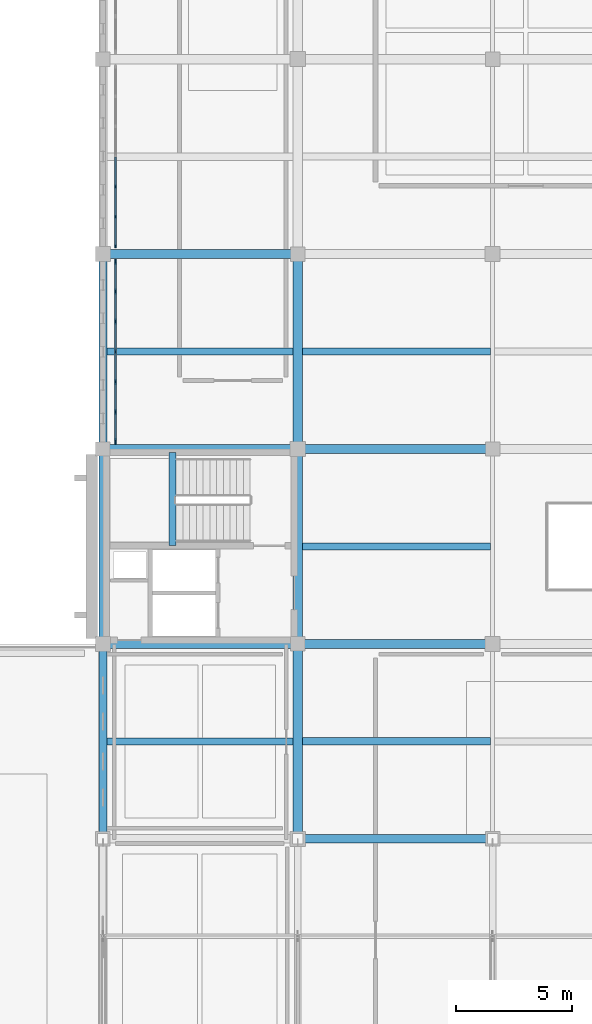
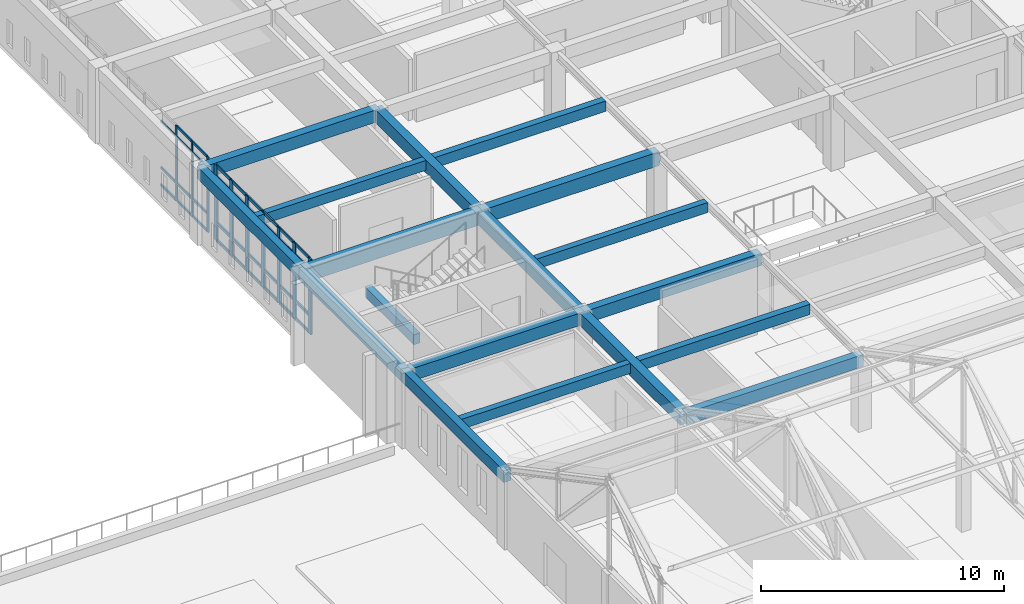
# One storey, part 5 of 47: 45 members, 18 beams, 2 elements without a shape of their own.
"""IFC4 building model written with IfcOpenShell, lengths in metres."""

from ifc_helpers import new_model, si_unit, direction, frame, origin, origin_2d, place, context, subcontext, project, spatial, rectangle, extrude, material, layer, layer_set, material_profile, profile_set, type_object, element, aggregate, save


model = new_model("IFC4")

# Units and contexts
model_context = context("Model", 3, precision=1e-05, world=origin(), true_north=direction((0.0, 1.0)))
body_context = subcontext(model_context, "Body", "Model", "MODEL_VIEW")
ifc_project = project(units=[si_unit("LENGTHUNIT", "METRE"), si_unit("AREAUNIT", "SQUARE_METRE"), si_unit("VOLUMEUNIT", "CUBIC_METRE"), si_unit("PLANEANGLEUNIT", "RADIAN"), si_unit("MASSUNIT", "GRAM", prefix="KILO")], contexts=[model_context])

# Site, building, storey
site_placement = place(None, origin())
site = spatial("IfcSite", under=ifc_project, at=site_placement, CompositionType="ELEMENT")
building_placement = place(site_placement, origin())
building = spatial("IfcBuilding", under=site, at=building_placement, Name="Kveldsbrygga Polytechnic", CompositionType="ELEMENT")
storey_placement = place(building_placement, frame((0.0, 0.0, 13.93994140625)))
storey = spatial("IfcBuildingStorey", under=building, at=storey_placement, Name="L03", CompositionType="ELEMENT", Elevation=13.93994140625)

# Beams
ifc_material_1 = material(Name="Concrete C35/45", Category="concrete")
ifc_material_profile_1 = material_profile(ifc_material_1, rectangle(XDim=0.3798828125, YDim=0.6201171875, at=origin_2d()), Name="RC 380x620")
ifc_profile_set_1 = profile_set([ifc_material_profile_1], Name="Concrete C35/45")
beam_type_1 = type_object("IfcBeamType", Name="BM-RC-380x620", PredefinedType="BEAM", material=ifc_profile_set_1)
beam_1_placement = place(storey_placement, frame((126.0, 25.199951171875, 3.43994140625), z_axis=(1.0, 0.0, 0.0), x_axis=(0.0, 1.0, 0.0)))
element("IfcBeam", 1, at=beam_1_placement, inside=storey, type_object=beam_type_1, Name="Primary Beam BMX-L03-15to16-03", PredefinedType="BEAM", context=body_context, shape_type="SweptSolid", body=[
    extrude(rectangle(XDim=0.3798828125, YDim=0.6201171875, at=origin_2d()), origin(), (0.0, 0.0, 1.0), 8.39990234375),
])
beam_2_placement = place(storey_placement, frame((134.39990234375, 25.199951171875, 3.43994140625), z_axis=(1.0, 0.0, 0.0), x_axis=(0.0, 1.0, 0.0)))
element("IfcBeam", 2, at=beam_2_placement, inside=storey, type_object=beam_type_1, Name="Primary Beam BMX-L03-16to17-03", PredefinedType="BEAM", context=body_context, shape_type="SweptSolid", body=[
    extrude(rectangle(XDim=0.3798828125, YDim=0.6201171875, at=origin_2d()), origin(), (0.0, 0.0, 1.0), 8.400146484375),
])
beam_3_placement = place(storey_placement, frame((126.0, 42.0, 3.43994140625), z_axis=(1.0, 0.0, 0.0), x_axis=(0.0, 1.0, 0.0)))
element("IfcBeam", 3, at=beam_3_placement, inside=storey, type_object=beam_type_1, Name="Primary Beam BMX-L03-15to16-05", PredefinedType="BEAM", context=body_context, shape_type="SweptSolid", body=[
    extrude(rectangle(XDim=0.3798828125, YDim=0.6201171875, at=origin_2d()), origin(), (0.0, 0.0, 1.0), 8.39990234375),
])
ifc_material_profile_2 = material_profile(ifc_material_1, rectangle(XDim=0.39990234375, YDim=0.64990234375, at=origin_2d()), Name="RC 400x650")
ifc_profile_set_2 = profile_set([ifc_material_profile_2], Name="Concrete C35/45")
beam_type_2 = type_object("IfcBeamType", Name="BM-RC-400x650", PredefinedType="BEAM", material=ifc_profile_set_2)
beam_4_placement = place(storey_placement, frame((134.39990234375, 16.800048828125, 3.425048828125), z_axis=(0.0, 1.0, 0.0), x_axis=(-1.0, 0.0, 0.0)))
element("IfcBeam", 4, at=beam_4_placement, inside=storey, type_object=beam_type_2, Name="Primary Beam BMY-L03-16-02to03", PredefinedType="BEAM", context=body_context, shape_type="SweptSolid", body=[
    extrude(rectangle(XDim=0.39990234375, YDim=0.64990234375, at=origin_2d()), origin(), (0.0, 0.0, 1.0), 8.39990234375),
])
beam_5_placement = place(storey_placement, frame((134.39990234375, 25.199951171875, 3.425048828125), z_axis=(0.0, 1.0, 0.0), x_axis=(-1.0, 0.0, 0.0)))
element("IfcBeam", 5, at=beam_5_placement, inside=storey, type_object=beam_type_2, Name="Primary Beam BMY-L03-16-03to04", PredefinedType="BEAM", context=body_context, shape_type="SweptSolid", body=[
    extrude(rectangle(XDim=0.39990234375, YDim=0.64990234375, at=origin_2d()), origin(), (0.0, 0.0, 1.0), 8.400146484375),
])
beam_6_placement = place(storey_placement, frame((134.39990234375, 33.60009765625, 3.425048828125), z_axis=(0.0, 1.0, 0.0), x_axis=(-1.0, 0.0, 0.0)))
element("IfcBeam", 6, at=beam_6_placement, inside=storey, type_object=beam_type_2, Name="Primary Beam BMY-L03-16-04to05", PredefinedType="BEAM", context=body_context, shape_type="SweptSolid", body=[
    extrude(rectangle(XDim=0.39990234375, YDim=0.64990234375, at=origin_2d()), origin(), (0.0, 0.0, 1.0), 8.39990234375),
])
ifc_material_profile_3 = material_profile(ifc_material_1, rectangle(XDim=0.39990234375, YDim=0.699951171875, at=origin_2d()), Name="RC 400x700")
ifc_profile_set_3 = profile_set([ifc_material_profile_3], Name="Concrete C35/45")
beam_type_3 = type_object("IfcBeamType", Name="BM-RC-400x700", PredefinedType="BEAM", material=ifc_profile_set_3)
beam_7_placement = place(storey_placement, frame((126.0, 33.60009765625, 3.400146484375), z_axis=(1.0, 0.0, 0.0), x_axis=(0.0, 1.0, 0.0)))
element("IfcBeam", 7, at=beam_7_placement, inside=storey, type_object=beam_type_3, Name="Primary Beam BMX-L03-15to16-04", PredefinedType="BEAM", context=body_context, shape_type="SweptSolid", body=[
    extrude(rectangle(XDim=0.39990234375, YDim=0.699951171875, at=origin_2d()), origin(), (0.0, 0.0, 1.0), 8.39990234375),
])
beam_8_placement = place(storey_placement, frame((134.39990234375, 33.60009765625, 3.400146484375), z_axis=(1.0, 0.0, 0.0), x_axis=(0.0, 1.0, 0.0)))
element("IfcBeam", 8, at=beam_8_placement, inside=storey, type_object=beam_type_3, Name="Primary Beam BMX-L03-16to17-04", PredefinedType="BEAM", context=body_context, shape_type="SweptSolid", body=[
    extrude(rectangle(XDim=0.39990234375, YDim=0.699951171875, at=origin_2d()), origin(), (0.0, 0.0, 1.0), 8.400146484375),
])
ifc_material_profile_4 = material_profile(ifc_material_1, rectangle(XDim=0.35009765625, YDim=0.60009765625, at=origin_2d()), Name="RC 350x600")
ifc_profile_set_4 = profile_set([ifc_material_profile_4], Name="Concrete C35/45")
beam_type_4 = type_object("IfcBeamType", Name="BM-SPANDREL-600", PredefinedType="T_BEAM", material=ifc_profile_set_4)
beam_9_placement = place(storey_placement, frame((134.39990234375, 16.800048828125, 3.449951171875), z_axis=(1.0, 0.0, 0.0), x_axis=(0.0, 1.0, 0.0)))
element("IfcBeam", 9, at=beam_9_placement, inside=storey, type_object=beam_type_4, Name="Primary Beam BMX-L03-16to17-02", PredefinedType="T_BEAM", context=body_context, shape_type="SweptSolid", body=[
    extrude(rectangle(XDim=0.35009765625, YDim=0.60009765625, at=origin_2d()), origin(), (0.0, 0.0, 1.0), 8.400146484375),
])
beam_10_placement = place(storey_placement, frame((126.0, 16.800048828125, 3.449951171875), z_axis=(0.0, 1.0, 0.0), x_axis=(-1.0, 0.0, 0.0)))
element("IfcBeam", 10, at=beam_10_placement, inside=storey, type_object=beam_type_4, Name="Primary Beam BMY-L03-15-02to03", PredefinedType="T_BEAM", context=body_context, shape_type="SweptSolid", body=[
    extrude(rectangle(XDim=0.35009765625, YDim=0.60009765625, at=origin_2d()), origin(), (0.0, 0.0, 1.0), 8.39990234375),
])
beam_11_placement = place(storey_placement, frame((126.0, 25.199951171875, 3.449951171875), z_axis=(0.0, 1.0, 0.0), x_axis=(-1.0, 0.0, 0.0)))
element("IfcBeam", 11, at=beam_11_placement, inside=storey, type_object=beam_type_4, Name="Primary Beam BMY-L03-15-03to04", PredefinedType="T_BEAM", context=body_context, shape_type="SweptSolid", body=[
    extrude(rectangle(XDim=0.35009765625, YDim=0.60009765625, at=origin_2d()), origin(), (0.0, 0.0, 1.0), 8.400146484375),
])
beam_12_placement = place(storey_placement, frame((126.0, 33.60009765625, 3.449951171875), z_axis=(0.0, 1.0, 0.0), x_axis=(-1.0, 0.0, 0.0)))
element("IfcBeam", 12, at=beam_12_placement, inside=storey, type_object=beam_type_4, Name="Primary Beam BMY-L03-15-04to05", PredefinedType="T_BEAM", context=body_context, shape_type="SweptSolid", body=[
    extrude(rectangle(XDim=0.35009765625, YDim=0.60009765625, at=origin_2d()), origin(), (0.0, 0.0, 1.0), 8.39990234375),
])

# Curtain wall, members
ifc_material_2 = material(Name="Anodised aluminium AW-6060", Category="aluminium")
ifc_layer_1 = layer(ifc_material_2, 0.179931640625)
ifc_layer_set_1 = layer_set([ifc_layer_1], Name="Anodised aluminium AW-6060")
curtain_wall_type_1 = type_object("IfcCurtainWallType", Name="CW-CONC-A", PredefinedType="USERDEFINED", material=ifc_layer_set_1)
curtain_wall_1_placement = place(storey_placement, origin())
curtain_wall_1 = element("IfcCurtainWall", 13, at=curtain_wall_1_placement, inside=storey, type_object=curtain_wall_type_1, Name="Curtain Wall CW-L03-Y-15-05", ObjectType="UNITISED CURTAIN WALL", PredefinedType="USERDEFINED")
ifc_material_profile_5 = material_profile(ifc_material_2, rectangle(XDim=0.06005859375, YDim=0.139892578125, at=origin_2d()), Name="ALU 60x140")
ifc_profile_set_5 = profile_set([ifc_material_profile_5], Name="Anodised aluminium AW-6060")
member_type_1 = type_object("IfcMemberType", Name="CW-MUL-140", PredefinedType="MULLION", material=ifc_profile_set_5)
member_1_placement = place(storey_placement, frame((126.550048828125, 42.340087890625, 0.0), z_axis=(0.0, 0.0, 1.0), x_axis=(-1.0, 0.0, 0.0)))
member_1 = element("IfcMember", 14, at=member_1_placement, type_object=member_type_1, Name="CW-01 mullion 1", PredefinedType="MULLION", context=body_context, shape_type="SweptSolid", body=[
    extrude(rectangle(XDim=0.06005859375, YDim=0.139892578125, at=origin_2d()), origin(), (0.0, 0.0, 1.0), 3.780029296875),
])
member_2_placement = place(storey_placement, frame((126.550048828125, 43.609130859375, 0.0), z_axis=(0.0, 0.0, 1.0), x_axis=(-1.0, 0.0, 0.0)))
member_2 = element("IfcMember", 15, at=member_2_placement, type_object=member_type_1, Name="CW-01 mullion 2", PredefinedType="MULLION", context=body_context, shape_type="SweptSolid", body=[
    extrude(rectangle(XDim=0.06005859375, YDim=0.139892578125, at=origin_2d()), origin(), (0.0, 0.0, 1.0), 3.780029296875),
])
member_3_placement = place(storey_placement, frame((126.550048828125, 44.908447265625, 0.0), z_axis=(0.0, 0.0, 1.0), x_axis=(-1.0, 0.0, 0.0)))
member_3 = element("IfcMember", 16, at=member_3_placement, type_object=member_type_1, Name="CW-01 mullion 3", PredefinedType="MULLION", context=body_context, shape_type="SweptSolid", body=[
    extrude(rectangle(XDim=0.06005859375, YDim=0.139892578125, at=origin_2d()), origin(), (0.0, 0.0, 1.0), 3.780029296875),
])

ifc_layer_2 = layer(ifc_material_2, 0.2099609375)
ifc_layer_set_2 = layer_set([ifc_layer_2], Name="Anodised aluminium AW-6060")
curtain_wall_type_2 = type_object("IfcCurtainWallType", Name="CW-LIBR-H", PredefinedType="USERDEFINED", material=ifc_layer_set_2)
curtain_wall_2_placement = place(storey_placement, origin())
curtain_wall_2 = element("IfcCurtainWall", 17, at=curtain_wall_2_placement, inside=storey, type_object=curtain_wall_type_2, Name="Curtain Wall CW-L03-Y-15-04", ObjectType="UNITISED CURTAIN WALL", PredefinedType="USERDEFINED")
ifc_material_profile_6 = material_profile(ifc_material_2, rectangle(XDim=0.074951171875, YDim=0.239990234375, at=origin_2d()), Name="ALU 75x240")
ifc_profile_set_6 = profile_set([ifc_material_profile_6], Name="Anodised aluminium AW-6060")
member_type_2 = type_object("IfcMemberType", Name="CW-MUL-240", PredefinedType="MULLION", material=ifc_profile_set_6)
member_4_placement = place(storey_placement, frame((126.550048828125, 33.9326171875, 0.0), z_axis=(0.0, 0.0, 1.0), x_axis=(-1.0, 0.0, 0.0)))
member_4 = element("IfcMember", 18, at=member_4_placement, type_object=member_type_2, Name="CW-08 mullion 1", PredefinedType="MULLION", context=body_context, shape_type="SweptSolid", body=[
    extrude(rectangle(XDim=0.074951171875, YDim=0.239990234375, at=origin_2d()), origin(), (0.0, 0.0, 1.0), 3.780029296875),
])
member_5_placement = place(storey_placement, frame((126.550048828125, 35.194091796875, 0.0), z_axis=(0.0, 0.0, 1.0), x_axis=(-1.0, 0.0, 0.0)))
member_5 = element("IfcMember", 19, at=member_5_placement, type_object=member_type_2, Name="CW-08 mullion 2", PredefinedType="MULLION", context=body_context, shape_type="SweptSolid", body=[
    extrude(rectangle(XDim=0.074951171875, YDim=0.239990234375, at=origin_2d()), origin(), (0.0, 0.0, 1.0), 3.780029296875),
])
member_6_placement = place(storey_placement, frame((126.550048828125, 36.493408203125, 0.0), z_axis=(0.0, 0.0, 1.0), x_axis=(-1.0, 0.0, 0.0)))
member_6 = element("IfcMember", 20, at=member_6_placement, type_object=member_type_2, Name="CW-08 mullion 3", PredefinedType="MULLION", context=body_context, shape_type="SweptSolid", body=[
    extrude(rectangle(XDim=0.074951171875, YDim=0.239990234375, at=origin_2d()), origin(), (0.0, 0.0, 1.0), 3.780029296875),
])
member_7_placement = place(storey_placement, frame((126.550048828125, 37.79248046875, 0.0), z_axis=(0.0, 0.0, 1.0), x_axis=(-1.0, 0.0, 0.0)))
member_7 = element("IfcMember", 21, at=member_7_placement, type_object=member_type_2, Name="CW-08 mullion 4", PredefinedType="MULLION", context=body_context, shape_type="SweptSolid", body=[
    extrude(rectangle(XDim=0.074951171875, YDim=0.239990234375, at=origin_2d()), origin(), (0.0, 0.0, 1.0), 3.780029296875),
])
member_8_placement = place(storey_placement, frame((126.550048828125, 39.091552734375, 0.0), z_axis=(0.0, 0.0, 1.0), x_axis=(-1.0, 0.0, 0.0)))
member_8 = element("IfcMember", 22, at=member_8_placement, type_object=member_type_2, Name="CW-08 mullion 5", PredefinedType="MULLION", context=body_context, shape_type="SweptSolid", body=[
    extrude(rectangle(XDim=0.074951171875, YDim=0.239990234375, at=origin_2d()), origin(), (0.0, 0.0, 1.0), 3.780029296875),
])
member_9_placement = place(storey_placement, frame((126.550048828125, 40.390869140625, 0.0), z_axis=(0.0, 0.0, 1.0), x_axis=(-1.0, 0.0, 0.0)))
member_9 = element("IfcMember", 23, at=member_9_placement, type_object=member_type_2, Name="CW-08 mullion 6", PredefinedType="MULLION", context=body_context, shape_type="SweptSolid", body=[
    extrude(rectangle(XDim=0.074951171875, YDim=0.239990234375, at=origin_2d()), origin(), (0.0, 0.0, 1.0), 3.780029296875),
])
member_10_placement = place(storey_placement, frame((126.550048828125, 41.652587890625, 0.0), z_axis=(0.0, 0.0, 1.0), x_axis=(-1.0, 0.0, 0.0)))
member_10 = element("IfcMember", 24, at=member_10_placement, type_object=member_type_2, Name="CW-08 mullion 7", PredefinedType="MULLION", context=body_context, shape_type="SweptSolid", body=[
    extrude(rectangle(XDim=0.074951171875, YDim=0.239990234375, at=origin_2d()), origin(), (0.0, 0.0, 1.0), 3.780029296875),
])

# Member
ifc_material_profile_7 = material_profile(ifc_material_2, rectangle(XDim=0.06005859375, YDim=0.1201171875, at=origin_2d()), Name="ALU 60x120")
ifc_profile_set_7 = profile_set([ifc_material_profile_7], Name="Anodised aluminium AW-6060")
member_type_3 = type_object("IfcMemberType", Name="CW-TRN-120", PredefinedType="USERDEFINED", material=ifc_profile_set_7)
member_11_placement = place(storey_placement, frame((126.550048828125, 42.3701171875, 0.030029296875), z_axis=(0.0, 1.0, 0.0), x_axis=(-1.0, 0.0, 0.0)))
member_11 = element("IfcMember", 25, at=member_11_placement, type_object=member_type_3, Name="CW-01 transom 1.1", ObjectType="TRANSOM", PredefinedType="USERDEFINED", context=body_context, shape_type="SweptSolid", body=[
    extrude(rectangle(XDim=0.06005859375, YDim=0.1201171875, at=origin_2d()), origin(), (0.0, 0.0, 1.0), 1.208984375),
])

member_12_placement = place(storey_placement, frame((126.550048828125, 42.3701171875, 0.900146484375), z_axis=(0.0, 1.0, 0.0), x_axis=(-1.0, 0.0, 0.0)))
member_12 = element("IfcMember", 26, at=member_12_placement, type_object=member_type_3, Name="CW-01 transom 1.2", ObjectType="TRANSOM", PredefinedType="USERDEFINED", context=body_context, shape_type="SweptSolid", body=[
    extrude(rectangle(XDim=0.06005859375, YDim=0.1201171875, at=origin_2d()), origin(), (0.0, 0.0, 1.0), 1.208984375),
])

member_13_placement = place(storey_placement, frame((126.550048828125, 42.3701171875, 3.22998046875), z_axis=(0.0, 1.0, 0.0), x_axis=(-1.0, 0.0, 0.0)))
member_13 = element("IfcMember", 27, at=member_13_placement, type_object=member_type_3, Name="CW-01 transom 1.3", ObjectType="TRANSOM", PredefinedType="USERDEFINED", context=body_context, shape_type="SweptSolid", body=[
    extrude(rectangle(XDim=0.06005859375, YDim=0.1201171875, at=origin_2d()), origin(), (0.0, 0.0, 1.0), 1.208984375),
])

member_14_placement = place(storey_placement, frame((126.550048828125, 42.3701171875, 3.75), z_axis=(0.0, 1.0, 0.0), x_axis=(-1.0, 0.0, 0.0)))
member_14 = element("IfcMember", 28, at=member_14_placement, type_object=member_type_3, Name="CW-01 transom 1.4", ObjectType="TRANSOM", PredefinedType="USERDEFINED", context=body_context, shape_type="SweptSolid", body=[
    extrude(rectangle(XDim=0.06005859375, YDim=0.1201171875, at=origin_2d()), origin(), (0.0, 0.0, 1.0), 1.208984375),
])

member_15_placement = place(storey_placement, frame((126.550048828125, 43.63916015625, 0.030029296875), z_axis=(0.0, 1.0, 0.0), x_axis=(-1.0, 0.0, 0.0)))
member_15 = element("IfcMember", 29, at=member_15_placement, type_object=member_type_3, Name="CW-01 transom 2.1", ObjectType="TRANSOM", PredefinedType="USERDEFINED", context=body_context, shape_type="SweptSolid", body=[
    extrude(rectangle(XDim=0.06005859375, YDim=0.1201171875, at=origin_2d()), origin(), (0.0, 0.0, 1.0), 1.2392578125),
])

member_16_placement = place(storey_placement, frame((126.550048828125, 43.63916015625, 0.900146484375), z_axis=(0.0, 1.0, 0.0), x_axis=(-1.0, 0.0, 0.0)))
member_16 = element("IfcMember", 30, at=member_16_placement, type_object=member_type_3, Name="CW-01 transom 2.2", ObjectType="TRANSOM", PredefinedType="USERDEFINED", context=body_context, shape_type="SweptSolid", body=[
    extrude(rectangle(XDim=0.06005859375, YDim=0.1201171875, at=origin_2d()), origin(), (0.0, 0.0, 1.0), 1.2392578125),
])

member_17_placement = place(storey_placement, frame((126.550048828125, 43.63916015625, 3.22998046875), z_axis=(0.0, 1.0, 0.0), x_axis=(-1.0, 0.0, 0.0)))
member_17 = element("IfcMember", 31, at=member_17_placement, type_object=member_type_3, Name="CW-01 transom 2.3", ObjectType="TRANSOM", PredefinedType="USERDEFINED", context=body_context, shape_type="SweptSolid", body=[
    extrude(rectangle(XDim=0.06005859375, YDim=0.1201171875, at=origin_2d()), origin(), (0.0, 0.0, 1.0), 1.2392578125),
])

member_18_placement = place(storey_placement, frame((126.550048828125, 43.63916015625, 3.75), z_axis=(0.0, 1.0, 0.0), x_axis=(-1.0, 0.0, 0.0)))
member_18 = element("IfcMember", 32, at=member_18_placement, type_object=member_type_3, Name="CW-01 transom 2.4", ObjectType="TRANSOM", PredefinedType="USERDEFINED", context=body_context, shape_type="SweptSolid", body=[
    extrude(rectangle(XDim=0.06005859375, YDim=0.1201171875, at=origin_2d()), origin(), (0.0, 0.0, 1.0), 1.2392578125),
])

member_19_placement = place(storey_placement, frame((126.550048828125, 44.938232421875, 0.030029296875), z_axis=(0.0, 1.0, 0.0), x_axis=(-1.0, 0.0, 0.0)))
member_19 = element("IfcMember", 33, at=member_19_placement, type_object=member_type_3, Name="CW-01 transom 3.1", ObjectType="TRANSOM", PredefinedType="USERDEFINED", context=body_context, shape_type="SweptSolid", body=[
    extrude(rectangle(XDim=0.06005859375, YDim=0.1201171875, at=origin_2d()), origin(), (0.0, 0.0, 1.0), 1.2392578125),
])

member_20_placement = place(storey_placement, frame((126.550048828125, 44.938232421875, 0.900146484375), z_axis=(0.0, 1.0, 0.0), x_axis=(-1.0, 0.0, 0.0)))
member_20 = element("IfcMember", 34, at=member_20_placement, type_object=member_type_3, Name="CW-01 transom 3.2", ObjectType="TRANSOM", PredefinedType="USERDEFINED", context=body_context, shape_type="SweptSolid", body=[
    extrude(rectangle(XDim=0.06005859375, YDim=0.1201171875, at=origin_2d()), origin(), (0.0, 0.0, 1.0), 1.2392578125),
])

member_21_placement = place(storey_placement, frame((126.550048828125, 44.938232421875, 3.22998046875), z_axis=(0.0, 1.0, 0.0), x_axis=(-1.0, 0.0, 0.0)))
member_21 = element("IfcMember", 35, at=member_21_placement, type_object=member_type_3, Name="CW-01 transom 3.3", ObjectType="TRANSOM", PredefinedType="USERDEFINED", context=body_context, shape_type="SweptSolid", body=[
    extrude(rectangle(XDim=0.06005859375, YDim=0.1201171875, at=origin_2d()), origin(), (0.0, 0.0, 1.0), 1.2392578125),
])

aggregate(curtain_wall_1, [member_1, member_2, member_3, member_11, member_12, member_13, member_14, member_15, member_16, member_17, member_18, member_19, member_20, member_21])

ifc_material_profile_8 = material_profile(ifc_material_2, rectangle(XDim=0.06005859375, YDim=0.14990234375, at=origin_2d()), Name="ALU 60x150")
ifc_profile_set_8 = profile_set([ifc_material_profile_8], Name="Anodised aluminium AW-6060")
member_type_4 = type_object("IfcMemberType", Name="CW-TRN-150", PredefinedType="USERDEFINED", material=ifc_profile_set_8)
member_22_placement = place(storey_placement, frame((126.550048828125, 33.969970703125, 0.030029296875), z_axis=(0.0, 1.0, 0.0), x_axis=(-1.0, 0.0, 0.0)))
member_22 = element("IfcMember", 36, at=member_22_placement, type_object=member_type_4, Name="CW-08 transom 1.1", ObjectType="TRANSOM", PredefinedType="USERDEFINED", context=body_context, shape_type="SweptSolid", body=[
    extrude(rectangle(XDim=0.06005859375, YDim=0.14990234375, at=origin_2d()), origin(), (0.0, 0.0, 1.0), 1.186767578125),
])

member_23_placement = place(storey_placement, frame((126.550048828125, 33.969970703125, 0.900146484375), z_axis=(0.0, 1.0, 0.0), x_axis=(-1.0, 0.0, 0.0)))
member_23 = element("IfcMember", 37, at=member_23_placement, type_object=member_type_4, Name="CW-08 transom 1.2", ObjectType="TRANSOM", PredefinedType="USERDEFINED", context=body_context, shape_type="SweptSolid", body=[
    extrude(rectangle(XDim=0.06005859375, YDim=0.14990234375, at=origin_2d()), origin(), (0.0, 0.0, 1.0), 1.186767578125),
])

member_24_placement = place(storey_placement, frame((126.550048828125, 33.969970703125, 3.22998046875), z_axis=(0.0, 1.0, 0.0), x_axis=(-1.0, 0.0, 0.0)))
member_24 = element("IfcMember", 38, at=member_24_placement, type_object=member_type_4, Name="CW-08 transom 1.3", ObjectType="TRANSOM", PredefinedType="USERDEFINED", context=body_context, shape_type="SweptSolid", body=[
    extrude(rectangle(XDim=0.06005859375, YDim=0.14990234375, at=origin_2d()), origin(), (0.0, 0.0, 1.0), 1.186767578125),
])

member_25_placement = place(storey_placement, frame((126.550048828125, 33.969970703125, 3.75), z_axis=(0.0, 1.0, 0.0), x_axis=(-1.0, 0.0, 0.0)))
member_25 = element("IfcMember", 39, at=member_25_placement, type_object=member_type_4, Name="CW-08 transom 1.4", ObjectType="TRANSOM", PredefinedType="USERDEFINED", context=body_context, shape_type="SweptSolid", body=[
    extrude(rectangle(XDim=0.06005859375, YDim=0.14990234375, at=origin_2d()), origin(), (0.0, 0.0, 1.0), 1.186767578125),
])

member_26_placement = place(storey_placement, frame((126.550048828125, 35.231689453125, 0.030029296875), z_axis=(0.0, 1.0, 0.0), x_axis=(-1.0, 0.0, 0.0)))
member_26 = element("IfcMember", 40, at=member_26_placement, type_object=member_type_4, Name="CW-08 transom 2.1", ObjectType="TRANSOM", PredefinedType="USERDEFINED", context=body_context, shape_type="SweptSolid", body=[
    extrude(rectangle(XDim=0.06005859375, YDim=0.14990234375, at=origin_2d()), origin(), (0.0, 0.0, 1.0), 1.22412109375),
])

member_27_placement = place(storey_placement, frame((126.550048828125, 35.231689453125, 0.900146484375), z_axis=(0.0, 1.0, 0.0), x_axis=(-1.0, 0.0, 0.0)))
member_27 = element("IfcMember", 41, at=member_27_placement, type_object=member_type_4, Name="CW-08 transom 2.2", ObjectType="TRANSOM", PredefinedType="USERDEFINED", context=body_context, shape_type="SweptSolid", body=[
    extrude(rectangle(XDim=0.06005859375, YDim=0.14990234375, at=origin_2d()), origin(), (0.0, 0.0, 1.0), 1.22412109375),
])

member_28_placement = place(storey_placement, frame((126.550048828125, 35.231689453125, 3.22998046875), z_axis=(0.0, 1.0, 0.0), x_axis=(-1.0, 0.0, 0.0)))
member_28 = element("IfcMember", 42, at=member_28_placement, type_object=member_type_4, Name="CW-08 transom 2.3", ObjectType="TRANSOM", PredefinedType="USERDEFINED", context=body_context, shape_type="SweptSolid", body=[
    extrude(rectangle(XDim=0.06005859375, YDim=0.14990234375, at=origin_2d()), origin(), (0.0, 0.0, 1.0), 1.22412109375),
])

member_29_placement = place(storey_placement, frame((126.550048828125, 35.231689453125, 3.75), z_axis=(0.0, 1.0, 0.0), x_axis=(-1.0, 0.0, 0.0)))
member_29 = element("IfcMember", 43, at=member_29_placement, type_object=member_type_4, Name="CW-08 transom 2.4", ObjectType="TRANSOM", PredefinedType="USERDEFINED", context=body_context, shape_type="SweptSolid", body=[
    extrude(rectangle(XDim=0.06005859375, YDim=0.14990234375, at=origin_2d()), origin(), (0.0, 0.0, 1.0), 1.22412109375),
])

member_30_placement = place(storey_placement, frame((126.550048828125, 36.53076171875, 0.030029296875), z_axis=(0.0, 1.0, 0.0), x_axis=(-1.0, 0.0, 0.0)))
member_30 = element("IfcMember", 44, at=member_30_placement, type_object=member_type_4, Name="CW-08 transom 3.1", ObjectType="TRANSOM", PredefinedType="USERDEFINED", context=body_context, shape_type="SweptSolid", body=[
    extrude(rectangle(XDim=0.06005859375, YDim=0.14990234375, at=origin_2d()), origin(), (0.0, 0.0, 1.0), 1.22412109375),
])

member_31_placement = place(storey_placement, frame((126.550048828125, 36.53076171875, 0.900146484375), z_axis=(0.0, 1.0, 0.0), x_axis=(-1.0, 0.0, 0.0)))
member_31 = element("IfcMember", 45, at=member_31_placement, type_object=member_type_4, Name="CW-08 transom 3.2", ObjectType="TRANSOM", PredefinedType="USERDEFINED", context=body_context, shape_type="SweptSolid", body=[
    extrude(rectangle(XDim=0.06005859375, YDim=0.14990234375, at=origin_2d()), origin(), (0.0, 0.0, 1.0), 1.22412109375),
])

member_32_placement = place(storey_placement, frame((126.550048828125, 36.53076171875, 3.22998046875), z_axis=(0.0, 1.0, 0.0), x_axis=(-1.0, 0.0, 0.0)))
member_32 = element("IfcMember", 46, at=member_32_placement, type_object=member_type_4, Name="CW-08 transom 3.3", ObjectType="TRANSOM", PredefinedType="USERDEFINED", context=body_context, shape_type="SweptSolid", body=[
    extrude(rectangle(XDim=0.06005859375, YDim=0.14990234375, at=origin_2d()), origin(), (0.0, 0.0, 1.0), 1.22412109375),
])

member_33_placement = place(storey_placement, frame((126.550048828125, 36.53076171875, 3.75), z_axis=(0.0, 1.0, 0.0), x_axis=(-1.0, 0.0, 0.0)))
member_33 = element("IfcMember", 47, at=member_33_placement, type_object=member_type_4, Name="CW-08 transom 3.4", ObjectType="TRANSOM", PredefinedType="USERDEFINED", context=body_context, shape_type="SweptSolid", body=[
    extrude(rectangle(XDim=0.06005859375, YDim=0.14990234375, at=origin_2d()), origin(), (0.0, 0.0, 1.0), 1.22412109375),
])

member_34_placement = place(storey_placement, frame((126.550048828125, 37.830078125, 0.030029296875), z_axis=(0.0, 1.0, 0.0), x_axis=(-1.0, 0.0, 0.0)))
member_34 = element("IfcMember", 48, at=member_34_placement, type_object=member_type_4, Name="CW-08 transom 4.1", ObjectType="TRANSOM", PredefinedType="USERDEFINED", context=body_context, shape_type="SweptSolid", body=[
    extrude(rectangle(XDim=0.06005859375, YDim=0.14990234375, at=origin_2d()), origin(), (0.0, 0.0, 1.0), 1.22412109375),
])

member_35_placement = place(storey_placement, frame((126.550048828125, 37.830078125, 0.900146484375), z_axis=(0.0, 1.0, 0.0), x_axis=(-1.0, 0.0, 0.0)))
member_35 = element("IfcMember", 49, at=member_35_placement, type_object=member_type_4, Name="CW-08 transom 4.2", ObjectType="TRANSOM", PredefinedType="USERDEFINED", context=body_context, shape_type="SweptSolid", body=[
    extrude(rectangle(XDim=0.06005859375, YDim=0.14990234375, at=origin_2d()), origin(), (0.0, 0.0, 1.0), 1.22412109375),
])

member_36_placement = place(storey_placement, frame((126.550048828125, 37.830078125, 3.22998046875), z_axis=(0.0, 1.0, 0.0), x_axis=(-1.0, 0.0, 0.0)))
member_36 = element("IfcMember", 50, at=member_36_placement, type_object=member_type_4, Name="CW-08 transom 4.3", ObjectType="TRANSOM", PredefinedType="USERDEFINED", context=body_context, shape_type="SweptSolid", body=[
    extrude(rectangle(XDim=0.06005859375, YDim=0.14990234375, at=origin_2d()), origin(), (0.0, 0.0, 1.0), 1.22412109375),
])

member_37_placement = place(storey_placement, frame((126.550048828125, 37.830078125, 3.75), z_axis=(0.0, 1.0, 0.0), x_axis=(-1.0, 0.0, 0.0)))
member_37 = element("IfcMember", 51, at=member_37_placement, type_object=member_type_4, Name="CW-08 transom 4.4", ObjectType="TRANSOM", PredefinedType="USERDEFINED", context=body_context, shape_type="SweptSolid", body=[
    extrude(rectangle(XDim=0.06005859375, YDim=0.14990234375, at=origin_2d()), origin(), (0.0, 0.0, 1.0), 1.22412109375),
])

member_38_placement = place(storey_placement, frame((126.550048828125, 39.129150390625, 0.030029296875), z_axis=(0.0, 1.0, 0.0), x_axis=(-1.0, 0.0, 0.0)))
member_38 = element("IfcMember", 52, at=member_38_placement, type_object=member_type_4, Name="CW-08 transom 5.1", ObjectType="TRANSOM", PredefinedType="USERDEFINED", context=body_context, shape_type="SweptSolid", body=[
    extrude(rectangle(XDim=0.06005859375, YDim=0.14990234375, at=origin_2d()), origin(), (0.0, 0.0, 1.0), 1.22412109375),
])

member_39_placement = place(storey_placement, frame((126.550048828125, 39.129150390625, 0.900146484375), z_axis=(0.0, 1.0, 0.0), x_axis=(-1.0, 0.0, 0.0)))
member_39 = element("IfcMember", 53, at=member_39_placement, type_object=member_type_4, Name="CW-08 transom 5.2", ObjectType="TRANSOM", PredefinedType="USERDEFINED", context=body_context, shape_type="SweptSolid", body=[
    extrude(rectangle(XDim=0.06005859375, YDim=0.14990234375, at=origin_2d()), origin(), (0.0, 0.0, 1.0), 1.22412109375),
])

member_40_placement = place(storey_placement, frame((126.550048828125, 39.129150390625, 3.22998046875), z_axis=(0.0, 1.0, 0.0), x_axis=(-1.0, 0.0, 0.0)))
member_40 = element("IfcMember", 54, at=member_40_placement, type_object=member_type_4, Name="CW-08 transom 5.3", ObjectType="TRANSOM", PredefinedType="USERDEFINED", context=body_context, shape_type="SweptSolid", body=[
    extrude(rectangle(XDim=0.06005859375, YDim=0.14990234375, at=origin_2d()), origin(), (0.0, 0.0, 1.0), 1.22412109375),
])

member_41_placement = place(storey_placement, frame((126.550048828125, 39.129150390625, 3.75), z_axis=(0.0, 1.0, 0.0), x_axis=(-1.0, 0.0, 0.0)))
member_41 = element("IfcMember", 55, at=member_41_placement, type_object=member_type_4, Name="CW-08 transom 5.4", ObjectType="TRANSOM", PredefinedType="USERDEFINED", context=body_context, shape_type="SweptSolid", body=[
    extrude(rectangle(XDim=0.06005859375, YDim=0.14990234375, at=origin_2d()), origin(), (0.0, 0.0, 1.0), 1.22412109375),
])

member_42_placement = place(storey_placement, frame((126.550048828125, 40.42822265625, 0.030029296875), z_axis=(0.0, 1.0, 0.0), x_axis=(-1.0, 0.0, 0.0)))
member_42 = element("IfcMember", 56, at=member_42_placement, type_object=member_type_4, Name="CW-08 transom 6.1", ObjectType="TRANSOM", PredefinedType="USERDEFINED", context=body_context, shape_type="SweptSolid", body=[
    extrude(rectangle(XDim=0.06005859375, YDim=0.14990234375, at=origin_2d()), origin(), (0.0, 0.0, 1.0), 1.186767578125),
])

member_43_placement = place(storey_placement, frame((126.550048828125, 40.42822265625, 0.900146484375), z_axis=(0.0, 1.0, 0.0), x_axis=(-1.0, 0.0, 0.0)))
member_43 = element("IfcMember", 57, at=member_43_placement, type_object=member_type_4, Name="CW-08 transom 6.2", ObjectType="TRANSOM", PredefinedType="USERDEFINED", context=body_context, shape_type="SweptSolid", body=[
    extrude(rectangle(XDim=0.06005859375, YDim=0.14990234375, at=origin_2d()), origin(), (0.0, 0.0, 1.0), 1.186767578125),
])

member_44_placement = place(storey_placement, frame((126.550048828125, 40.42822265625, 3.22998046875), z_axis=(0.0, 1.0, 0.0), x_axis=(-1.0, 0.0, 0.0)))
member_44 = element("IfcMember", 58, at=member_44_placement, type_object=member_type_4, Name="CW-08 transom 6.3", ObjectType="TRANSOM", PredefinedType="USERDEFINED", context=body_context, shape_type="SweptSolid", body=[
    extrude(rectangle(XDim=0.06005859375, YDim=0.14990234375, at=origin_2d()), origin(), (0.0, 0.0, 1.0), 1.186767578125),
])

member_45_placement = place(storey_placement, frame((126.550048828125, 40.42822265625, 3.75), z_axis=(0.0, 1.0, 0.0), x_axis=(-1.0, 0.0, 0.0)))
member_45 = element("IfcMember", 59, at=member_45_placement, type_object=member_type_4, Name="CW-08 transom 6.4", ObjectType="TRANSOM", PredefinedType="USERDEFINED", context=body_context, shape_type="SweptSolid", body=[
    extrude(rectangle(XDim=0.06005859375, YDim=0.14990234375, at=origin_2d()), origin(), (0.0, 0.0, 1.0), 1.186767578125),
])

aggregate(curtain_wall_2, [member_4, member_5, member_6, member_7, member_8, member_9, member_10, member_22, member_23, member_24, member_25, member_26, member_27, member_28, member_29, member_30, member_31, member_32, member_33, member_34, member_35, member_36, member_37, member_38, member_39, member_40, member_41, member_42, member_43, member_44, member_45])

# Beams
ifc_material_profile_9 = material_profile(ifc_material_1, rectangle(XDim=0.300048828125, YDim=0.5, at=origin_2d()), Name="RC 300x500")
ifc_profile_set_9 = profile_set([ifc_material_profile_9], Name="Concrete C35/45")
beam_type_5 = type_object("IfcBeamType", Name="JST-RC-300x500", PredefinedType="JOIST", material=ifc_profile_set_9)
for number, where, z_axis, x_axis, name in (
    (60, (126.175048828125, 21.0, 3.5), (1.0, 0.0, 0.0), (0.0, 1.0, 0.0), "Secondary Joist JST-L03-15-02"),
    (61, (126.175048828125, 37.800048828125, 3.5), (1.0, 0.0, 0.0), (0.0, 1.0, 0.0), "Secondary Joist JST-L03-15-04"),
):
    element("IfcBeam", number, at=place(storey_placement, frame(where, z_axis=z_axis, x_axis=x_axis)), inside=storey, type_object=beam_type_5, Name=name, PredefinedType="JOIST", context=body_context, shape_type="SweptSolid", body=[
        extrude(rectangle(XDim=0.300048828125, YDim=0.5, at=origin_2d()), origin(), (0.0, 0.0, 1.0), 8.02490234375),
    ])
beam_13_placement = place(storey_placement, frame((134.60009765625, 29.39990234375, 3.5), z_axis=(1.0, 0.0, 0.0), x_axis=(0.0, 1.0, 0.0)))
element("IfcBeam", 62, at=beam_13_placement, inside=storey, type_object=beam_type_5, Name="Secondary Joist JST-L03-16-03", PredefinedType="JOIST", context=body_context, shape_type="SweptSolid", body=[
    extrude(rectangle(XDim=0.300048828125, YDim=0.5, at=origin_2d()), origin(), (0.0, 0.0, 1.0), 8.10986328125),
])
ifc_material_profile_10 = material_profile(ifc_material_1, rectangle(XDim=0.320068359375, YDim=0.52001953125, at=origin_2d()), Name="RC 320x520")
ifc_profile_set_10 = profile_set([ifc_material_profile_10], Name="Concrete C35/45")
beam_type_6 = type_object("IfcBeamType", Name="JST-RC-320x520", PredefinedType="JOIST", material=ifc_profile_set_10)
for number, where, z_axis, x_axis, name in (
    (63, (134.60009765625, 21.0, 3.489990234375), (1.0, 0.0, 0.0), (0.0, 1.0, 0.0), "Secondary Joist JST-L03-16-02"),
    (64, (134.60009765625, 37.800048828125, 3.489990234375), (1.0, 0.0, 0.0), (0.0, 1.0, 0.0), "Secondary Joist JST-L03-16-04"),
):
    element("IfcBeam", number, at=place(storey_placement, frame(where, z_axis=z_axis, x_axis=x_axis)), inside=storey, type_object=beam_type_6, Name=name, PredefinedType="JOIST", context=body_context, shape_type="SweptSolid", body=[
        extrude(rectangle(XDim=0.320068359375, YDim=0.52001953125, at=origin_2d()), origin(), (0.0, 0.0, 1.0), 8.10986328125),
    ])
ifc_material_profile_11 = material_profile(ifc_material_1, rectangle(XDim=0.300048828125, YDim=0.5, at=origin_2d()), Name="RC 300x500")
ifc_profile_set_11 = profile_set([ifc_material_profile_11], Name="Concrete C35/45")
beam_type_7 = type_object("IfcBeamType", Name="LNT-RC-300x500", PredefinedType="LINTEL", material=ifc_profile_set_11)
beam_14_placement = place(storey_placement, frame((129.010009765625, 29.429931640625, 1.590087890625), z_axis=(0.0, 1.0, 0.0), x_axis=(-1.0, 0.0, 0.0)))
element("IfcBeam", 65, at=beam_14_placement, inside=storey, type_object=beam_type_7, Name="Stair Landing Support Beam C1-L03-LNDB-1-1", PredefinedType="LINTEL", context=body_context, shape_type="SweptSolid", body=[
    extrude(rectangle(XDim=0.300048828125, YDim=0.5, at=origin_2d()), origin(), (0.0, 0.0, 1.0), 4.02001953125),
])

save(model, "model.ifc")
